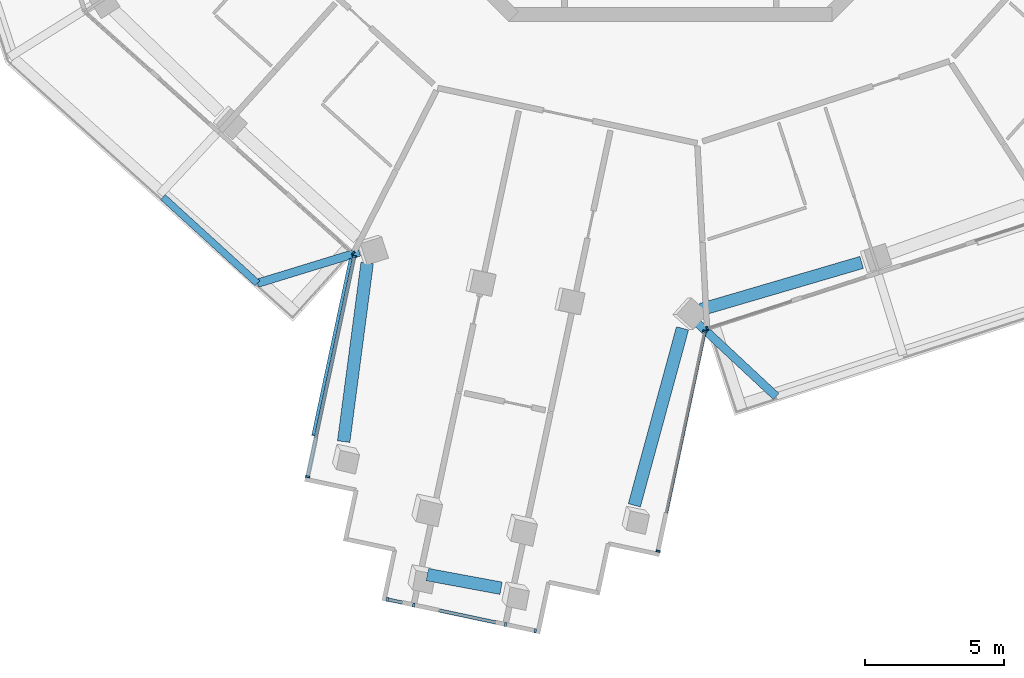
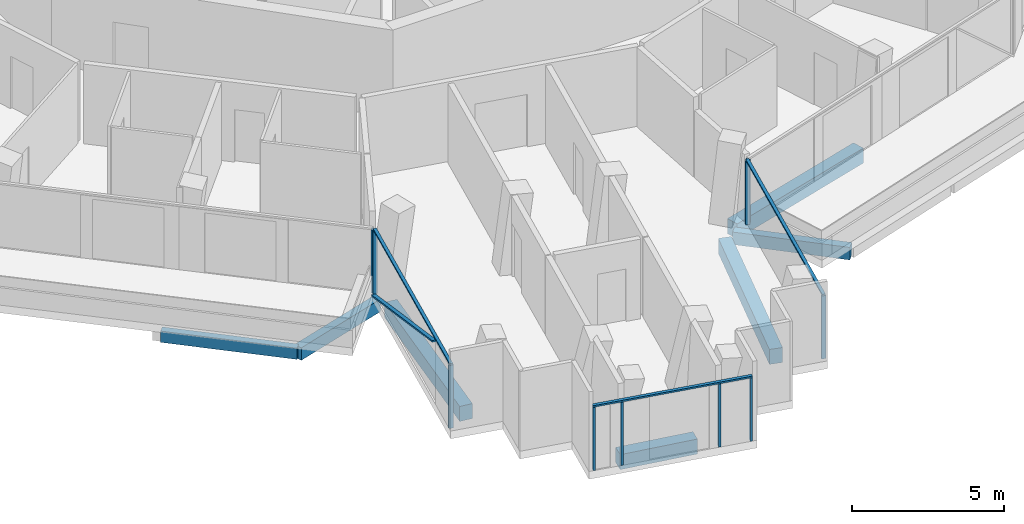
# One storey, part 2 of 22: 14 members, 7 beams, 5 elements without a shape of their own.
"""IFC4 building model written with IfcOpenShell, lengths in metres."""

from ifc_helpers import new_model, si_unit, direction, frame, origin, origin_2d, place, context, subcontext, project, spatial, rectangle, extrude, material, layer, layer_set, material_profile, profile_set, type_object, element, aggregate, save


model = new_model("IFC4")

# Units and contexts
model_context = context("Model", 3, precision=1e-05, world=origin(), true_north=direction((0.0, 1.0)))
body_context = subcontext(model_context, "Body", "Model", "MODEL_VIEW")
ifc_project = project(units=[si_unit("LENGTHUNIT", "METRE"), si_unit("AREAUNIT", "SQUARE_METRE"), si_unit("VOLUMEUNIT", "CUBIC_METRE"), si_unit("PLANEANGLEUNIT", "RADIAN"), si_unit("MASSUNIT", "GRAM", prefix="KILO")], contexts=[model_context])

# Site, building, storey
site_placement = place(None, origin())
site = spatial("IfcSite", under=ifc_project, at=site_placement, CompositionType="ELEMENT")
building_placement = place(site_placement, origin())
building = spatial("IfcBuilding", under=site, at=building_placement, Name="Verdalira Terraces Hotel", CompositionType="ELEMENT")
storey_placement = place(building_placement, frame((0.0, 0.0, 230.5)))
storey = spatial("IfcBuildingStorey", under=building, at=storey_placement, Name="L56", CompositionType="ELEMENT", Elevation=230.5)

# Beams
ifc_material_1 = material(Name="Concrete C40", Category="concrete")
ifc_material_profile_1 = material_profile(ifc_material_1, rectangle(XDim=0.300049, YDim=0.5, at=origin_2d()), Name="RC 300X500")
ifc_profile_set_1 = profile_set([ifc_material_profile_1], Name="Concrete C40")
beam_type_1 = type_object("IfcBeamType", Name="Balcony cantilever beam RC 300X500 C40", PredefinedType="BEAM", material=ifc_profile_set_1)
beam_1_placement = place(storey_placement, frame((-11.157715, -22.263672, -0.560059), z_axis=(-0.956103161, -0.29303028, 0.0), x_axis=(0.29303028, -0.956103161, 0.0)))
element("IfcBeam", 1, at=beam_1_placement, inside=storey, type_object=beam_type_1, Name="Balcony cantilever beam R12-2", PredefinedType="BEAM", context=body_context, shape_type="SweptSolid", body=[
    extrude(rectangle(XDim=0.300049, YDim=0.5, at=origin_2d()), origin(), (0.0, 0.0, 1.0), 3.820068),
])
beam_2_placement = place(storey_placement, frame((0.901367, -24.750244, -0.560059), z_axis=(0.731844016, -0.681472183, 0.0), x_axis=(0.681472183, 0.731844016, 0.0)))
element("IfcBeam", 2, at=beam_2_placement, inside=storey, type_object=beam_type_1, Name="Balcony cantilever beam R25-1", PredefinedType="BEAM", context=body_context, shape_type="SweptSolid", body=[
    extrude(rectangle(XDim=0.300049, YDim=0.5, at=origin_2d()), origin(), (0.0, 0.0, 1.0), 3.950195),
])
ifc_material_2 = material(Name="Concrete C40", Category="concrete")
ifc_material_profile_2 = material_profile(ifc_material_2, rectangle(XDim=0.25, YDim=0.449951, at=origin_2d()), Name="RC 250X450")
ifc_profile_set_2 = profile_set([ifc_material_profile_2], Name="Concrete C40")
beam_type_2 = type_object("IfcBeamType", Name="Balcony edge beam RC 250X450 C40", PredefinedType="BEAM", material=ifc_profile_set_2)
beam_3_placement = place(storey_placement, frame((-18.199463, -20.294189, -0.534912), z_axis=(0.73911564, -0.673578555, 0.0), x_axis=(0.673578555, 0.73911564, 0.0)))
element("IfcBeam", 3, at=beam_3_placement, inside=storey, type_object=beam_type_2, Name="Balcony edge beam R12-1", PredefinedType="BEAM", context=body_context, shape_type="SweptSolid", body=[
    extrude(rectangle(XDim=0.25, YDim=0.449951, at=origin_2d()), origin(), (0.0, 0.0, 1.0), 4.585693),
])

# Curtain wall, member
ifc_material_3 = material(Name="Clear glass", Category="glass")
ifc_layer_1 = layer(ifc_material_3, 0.14990234375)
ifc_layer_set_1 = layer_set([ifc_layer_1], Name="CW1 curtain wall")
curtain_wall_type_1 = type_object("IfcCurtainWallType", Name="CW1 curtain wall", PredefinedType="NOTDEFINED", material=ifc_layer_set_1)
curtain_wall_1_placement = place(storey_placement, origin())
curtain_wall_1 = element("IfcCurtainWall", 4, at=curtain_wall_1_placement, inside=storey, type_object=curtain_wall_type_1, Name="CW1 curtain wall L56 edge 13", PredefinedType="NOTDEFINED")
ifc_material_4 = material(Name="Terracotta frame", Category="masonry")
ifc_material_profile_3 = material_profile(ifc_material_4, rectangle(XDim=0.060059, YDim=0.149902, at=origin_2d()), Name="MU 60x150")
ifc_profile_set_3 = profile_set([ifc_material_profile_3], Name="Terracotta frame")
member_type_1 = type_object("IfcMemberType", Name="CW1 mullion 60x150", PredefinedType="MULLION", material=ifc_profile_set_3)
member_1_placement = place(storey_placement, frame((-11.373779, -22.301025, 0.0), z_axis=(0.0, 0.0, 1.0), x_axis=(0.743144825, -0.669130606, 0.0)))
member_1 = element("IfcMember", 5, at=member_1_placement, type_object=member_type_1, Name="CW1 mullion", PredefinedType="MULLION", context=body_context, shape_type="SweptSolid", body=[
    extrude(rectangle(XDim=0.060059, YDim=0.149902, at=origin_2d()), origin(), (0.0, 0.0, 1.0), 2.524902),
])
aggregate(curtain_wall_1, [member_1])

curtain_wall_2_placement = place(storey_placement, origin())
curtain_wall_2 = element("IfcCurtainWall", 6, at=curtain_wall_2_placement, inside=storey, type_object=curtain_wall_type_1, Name="CW1 curtain wall L56 edge 25", PredefinedType="NOTDEFINED")
member_2_placement = place(storey_placement, frame((1.319824, -24.999023, 0.0), z_axis=(0.0, 0.0, 1.0), x_axis=(0.951056516, 0.309016994, 0.0)))
member_2 = element("IfcMember", 7, at=member_2_placement, type_object=member_type_1, Name="CW1 mullion", PredefinedType="MULLION", context=body_context, shape_type="SweptSolid", body=[
    extrude(rectangle(XDim=0.060059, YDim=0.149902, at=origin_2d()), origin(), (0.0, 0.0, 1.0), 2.524902),
])
aggregate(curtain_wall_2, [member_2])

# Curtain wall, members
ifc_material_5 = material(Name="Clear glass", Category="glass")
ifc_layer_2 = layer(ifc_material_5, 0.14990234375)
ifc_layer_set_2 = layer_set([ifc_layer_2], Name="CW2 curtain wall")
curtain_wall_type_2 = type_object("IfcCurtainWallType", Name="CW2 curtain wall", PredefinedType="NOTDEFINED", material=ifc_layer_set_2)
curtain_wall_3_placement = place(storey_placement, origin())
curtain_wall_3 = element("IfcCurtainWall", 8, at=curtain_wall_3_placement, inside=storey, type_object=curtain_wall_type_2, Name="CW2 curtain wall L56 edge 14", PredefinedType="NOTDEFINED")
ifc_material_6 = material(Name="Terracotta frame", Category="masonry")
ifc_material_profile_4 = material_profile(ifc_material_6, rectangle(XDim=0.070068, YDim=0.149902, at=origin_2d()), Name="MU 70x150")
ifc_profile_set_4 = profile_set([ifc_material_profile_4], Name="Terracotta frame")
member_type_2 = type_object("IfcMemberType", Name="CW2 mullion 70x150", PredefinedType="MULLION", material=ifc_profile_set_4)
member_3_placement = place(storey_placement, frame((-11.335449, -22.426514, 0.0), z_axis=(0.0, 0.0, 1.0), x_axis=(-0.207911691, -0.978147601, 0.0)))
member_3 = element("IfcMember", 9, at=member_3_placement, type_object=member_type_2, Name="CW2 mullion", PredefinedType="MULLION", context=body_context, shape_type="SweptSolid", body=[
    extrude(rectangle(XDim=0.070068, YDim=0.149902, at=origin_2d()), origin(), (0.0, 0.0, 1.0), 2.524902),
])
member_4_placement = place(storey_placement, frame((-13.012695, -30.317871, 0.0), z_axis=(0.0, 0.0, 1.0), x_axis=(-0.207911691, -0.978147601, 0.0)))
member_4 = element("IfcMember", 10, at=member_4_placement, type_object=member_type_2, Name="CW2 mullion", PredefinedType="MULLION", context=body_context, shape_type="SweptSolid", body=[
    extrude(rectangle(XDim=0.070068, YDim=0.149902, at=origin_2d()), origin(), (0.0, 0.0, 1.0), 2.524902),
])

curtain_wall_4_placement = place(storey_placement, origin())
curtain_wall_4 = element("IfcCurtainWall", 11, at=curtain_wall_4_placement, inside=storey, type_object=curtain_wall_type_2, Name="CW2 curtain wall L56 edge 24", PredefinedType="NOTDEFINED")
member_5_placement = place(storey_placement, frame((-0.443604, -32.989502, 0.0), z_axis=(0.0, 0.0, 1.0), x_axis=(0.207911691, 0.978147601, 0.0)))
member_5 = element("IfcMember", 12, at=member_5_placement, type_object=member_type_2, Name="CW2 mullion", PredefinedType="MULLION", context=body_context, shape_type="SweptSolid", body=[
    extrude(rectangle(XDim=0.070068, YDim=0.149902, at=origin_2d()), origin(), (0.0, 0.0, 1.0), 2.524902),
])
member_6_placement = place(storey_placement, frame((1.233643, -25.098389, 0.0), z_axis=(0.0, 0.0, 1.0), x_axis=(0.207911691, 0.978147601, 0.0)))
member_6 = element("IfcMember", 13, at=member_6_placement, type_object=member_type_2, Name="CW2 mullion", PredefinedType="MULLION", context=body_context, shape_type="SweptSolid", body=[
    extrude(rectangle(XDim=0.070068, YDim=0.149902, at=origin_2d()), origin(), (0.0, 0.0, 1.0), 2.524902),
])

# Member
ifc_material_7 = material(Name="Terracotta frame", Category="masonry")
ifc_material_profile_5 = material_profile(ifc_material_7, rectangle(XDim=0.11499, YDim=0.064941, at=origin_2d()), Name="TR 65x115")
ifc_profile_set_5 = profile_set([ifc_material_profile_5], Name="Terracotta frame")
member_type_3 = type_object("IfcMemberType", Name="CW2 transom 65x115", PredefinedType="USERDEFINED", material=ifc_profile_set_5)
member_7_placement = place(storey_placement, frame((-11.328125, -22.392334, 2.557617), z_axis=(-0.20791222, -0.978147488, 0.0), x_axis=(0.978147488, -0.20791222, 0.0)))
member_7 = element("IfcMember", 14, at=member_7_placement, type_object=member_type_3, Name="CW2 transom", ObjectType="TRANSOM", PredefinedType="USERDEFINED", context=body_context, shape_type="SweptSolid", body=[
    extrude(rectangle(XDim=0.11499, YDim=0.064941, at=origin_2d()), origin(), (0.0, 0.0, 1.0), 8.137451),
])

member_8_placement = place(storey_placement, frame((-0.450928, -33.023682, 2.557617), z_axis=(0.20791222, 0.978147488, 0.0), x_axis=(-0.978147488, 0.20791222, 0.0)))
member_8 = element("IfcMember", 15, at=member_8_placement, type_object=member_type_3, Name="CW2 transom", ObjectType="TRANSOM", PredefinedType="USERDEFINED", context=body_context, shape_type="SweptSolid", body=[
    extrude(rectangle(XDim=0.11499, YDim=0.064941, at=origin_2d()), origin(), (0.0, 0.0, 1.0), 8.137451),
])

aggregate(curtain_wall_4, [member_5, member_6, member_8])

# Curtain wall, members
ifc_material_8 = material(Name="Clear glass", Category="glass")
ifc_layer_3 = layer(ifc_material_8, 0.14990234375)
ifc_layer_set_3 = layer_set([ifc_layer_3], Name="CW3 curtain wall")
curtain_wall_type_3 = type_object("IfcCurtainWallType", Name="CW3 curtain wall", PredefinedType="NOTDEFINED", material=ifc_layer_set_3)
curtain_wall_5_placement = place(storey_placement, origin())
curtain_wall_5 = element("IfcCurtainWall", 16, at=curtain_wall_5_placement, inside=storey, type_object=curtain_wall_type_3, Name="CW3 curtain wall L56 edge 19", PredefinedType="NOTDEFINED")
ifc_material_9 = material(Name="Terracotta frame", Category="masonry")
ifc_material_profile_6 = material_profile(ifc_material_9, rectangle(XDim=0.080078, YDim=0.149902, at=origin_2d()), Name="MU 80x150")
ifc_profile_set_6 = profile_set([ifc_material_profile_6], Name="Terracotta frame")
member_type_4 = type_object("IfcMemberType", Name="CW3 mullion 80x150", PredefinedType="MULLION", material=ifc_profile_set_6)
member_9_placement = place(storey_placement, frame((-10.150391, -34.719238, 0.0), z_axis=(0.0, 0.0, 1.0), x_axis=(0.978147601, -0.207911691, 0.0)))
member_9 = element("IfcMember", 17, at=member_9_placement, type_object=member_type_4, Name="CW3 mullion", PredefinedType="MULLION", context=body_context, shape_type="SweptSolid", body=[
    extrude(rectangle(XDim=0.080078, YDim=0.149902, at=origin_2d()), origin(), (0.0, 0.0, 1.0), 2.524902),
])
member_10_placement = place(storey_placement, frame((-9.207764, -34.919678, 0.0), z_axis=(0.0, 0.0, 1.0), x_axis=(0.978147601, -0.207911691, 0.0)))
member_10 = element("IfcMember", 18, at=member_10_placement, type_object=member_type_4, Name="CW3 mullion", PredefinedType="MULLION", context=body_context, shape_type="SweptSolid", body=[
    extrude(rectangle(XDim=0.080078, YDim=0.149902, at=origin_2d()), origin(), (0.0, 0.0, 1.0), 2.524902),
])
member_11_placement = place(storey_placement, frame((-5.91626, -35.619141, 0.0), z_axis=(0.0, 0.0, 1.0), x_axis=(0.978147601, -0.207911691, 0.0)))
member_11 = element("IfcMember", 19, at=member_11_placement, type_object=member_type_4, Name="CW3 mullion", PredefinedType="MULLION", context=body_context, shape_type="SweptSolid", body=[
    extrude(rectangle(XDim=0.080078, YDim=0.149902, at=origin_2d()), origin(), (0.0, 0.0, 1.0), 2.524902),
])
member_12_placement = place(storey_placement, frame((-4.848877, -35.846191, 0.0), z_axis=(0.0, 0.0, 1.0), x_axis=(0.978147601, -0.207911691, 0.0)))
member_12 = element("IfcMember", 20, at=member_12_placement, type_object=member_type_4, Name="CW3 mullion", PredefinedType="MULLION", context=body_context, shape_type="SweptSolid", body=[
    extrude(rectangle(XDim=0.080078, YDim=0.149902, at=origin_2d()), origin(), (0.0, 0.0, 1.0), 2.524902),
])
ifc_material_10 = material(Name="Terracotta frame", Category="masonry")
ifc_material_profile_7 = material_profile(ifc_material_10, rectangle(XDim=0.120117, YDim=0.064941, at=origin_2d()), Name="TR 65x120")
ifc_profile_set_7 = profile_set([ifc_material_profile_7], Name="Terracotta frame")
member_type_5 = type_object("IfcMemberType", Name="CW3 transom 65x120", PredefinedType="USERDEFINED", material=ifc_profile_set_7)
member_13_placement = place(storey_placement, frame((-10.189453, -34.710938, 2.557617), z_axis=(0.978146665, -0.207916091, 0.0), x_axis=(0.207916091, 0.978146665, 0.0)))
member_13 = element("IfcMember", 21, at=member_13_placement, type_object=member_type_5, Name="CW3 transom", ObjectType="TRANSOM", PredefinedType="USERDEFINED", context=body_context, shape_type="SweptSolid", body=[
    extrude(rectangle(XDim=0.120117, YDim=0.064941, at=origin_2d()), origin(), (0.0, 0.0, 1.0), 5.5),
])
aggregate(curtain_wall_5, [member_9, member_10, member_11, member_12, member_13])

# Member
ifc_material_11 = material(Name="Terracotta frame", Category="masonry")
ifc_material_profile_8 = material_profile(ifc_material_11, rectangle(XDim=0.149902, YDim=0.060059, at=origin_2d()), Name="GB 60x150")
ifc_profile_set_8 = profile_set([ifc_material_profile_8], Name="Terracotta frame")
member_type_6 = type_object("IfcMemberType", Name="Diagonal glazing bar 60x150", PredefinedType="USERDEFINED", material=ifc_profile_set_8)
member_14_placement = place(storey_placement, frame((-11.44751, -22.515625, 0.028809), z_axis=(-0.194240279, -0.913885169, 0.356489286), x_axis=(0.978150215, -0.207899391, 0.0)))
member_14 = element("IfcMember", 22, at=member_14_placement, type_object=member_type_6, Name="Diagonal glazing bar", ObjectType="GLAZING BAR", PredefinedType="USERDEFINED", context=body_context, shape_type="SweptSolid", body=[
    extrude(rectangle(XDim=0.149902, YDim=0.060059, at=origin_2d()), origin(), (0.0, 0.0, 1.0), 6.921631),
])

aggregate(curtain_wall_3, [member_3, member_4, member_7, member_14])

# Beams
ifc_material_12 = material(Name="Concrete C40", Category="concrete")
ifc_material_profile_9 = material_profile(ifc_material_12, rectangle(XDim=0.449951, YDim=0.600098, at=origin_2d()), Name="RC 450X600")
ifc_profile_set_9 = profile_set([ifc_material_profile_9], Name="Concrete C40")
beam_type_3 = type_object("IfcBeamType", Name="Spandrel beam RC 450X600 C40", PredefinedType="SPANDREL", material=ifc_profile_set_9)
beam_4_placement = place(storey_placement, frame((-10.876221, -22.65625, -0.610107), z_axis=(-0.130331311, -0.991470499, 0.0), x_axis=(0.991470499, -0.130331311, 0.0)))
element("IfcBeam", 23, at=beam_4_placement, inside=storey, type_object=beam_type_3, Name="Spandrel beam B08", PredefinedType="SPANDREL", context=body_context, shape_type="SweptSolid", body=[
    extrude(rectangle(XDim=0.449951, YDim=0.600098, at=origin_2d()), origin(), (0.0, 0.0, 1.0), 6.458984),
])
beam_5_placement = place(storey_placement, frame((-8.719971, -33.828613, -0.610107), z_axis=(0.983278396, -0.182108746, 0.0), x_axis=(0.182108746, 0.983278396, 0.0)))
element("IfcBeam", 24, at=beam_5_placement, inside=storey, type_object=beam_type_3, Name="Spandrel beam B09", PredefinedType="SPANDREL", context=body_context, shape_type="SweptSolid", body=[
    extrude(rectangle(XDim=0.449951, YDim=0.600098, at=origin_2d()), origin(), (0.0, 0.0, 1.0), 2.691895),
])
beam_6_placement = place(storey_placement, frame((-1.295166, -31.345459, -0.610107), z_axis=(0.262564529, 0.964914436, 0.0), x_axis=(-0.964914436, 0.262564529, 0.0)))
element("IfcBeam", 25, at=beam_6_placement, inside=storey, type_object=beam_type_3, Name="Spandrel beam B10", PredefinedType="SPANDREL", context=body_context, shape_type="SweptSolid", body=[
    extrude(rectangle(XDim=0.449951, YDim=0.600098, at=origin_2d()), origin(), (0.0, 0.0, 1.0), 6.57666),
])
beam_7_placement = place(storey_placement, frame((1.099609, -24.323975, -0.610107), z_axis=(0.959566783, 0.281481062, 0.0), x_axis=(-0.281481062, 0.959566783, 0.0)))
element("IfcBeam", 26, at=beam_7_placement, inside=storey, type_object=beam_type_3, Name="Spandrel beam B11", PredefinedType="SPANDREL", context=body_context, shape_type="SweptSolid", body=[
    extrude(rectangle(XDim=0.449951, YDim=0.600098, at=origin_2d()), origin(), (0.0, 0.0, 1.0), 5.999512),
])

save(model, "model.ifc")
